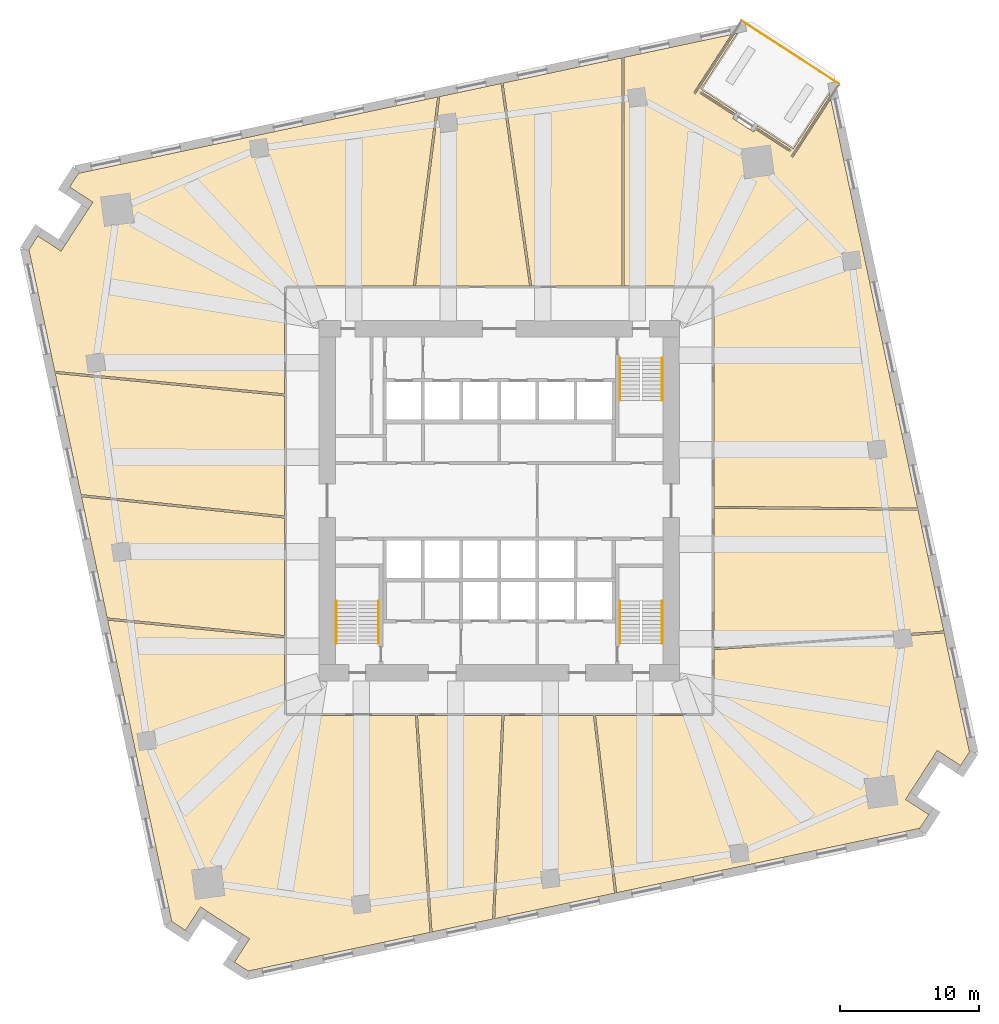
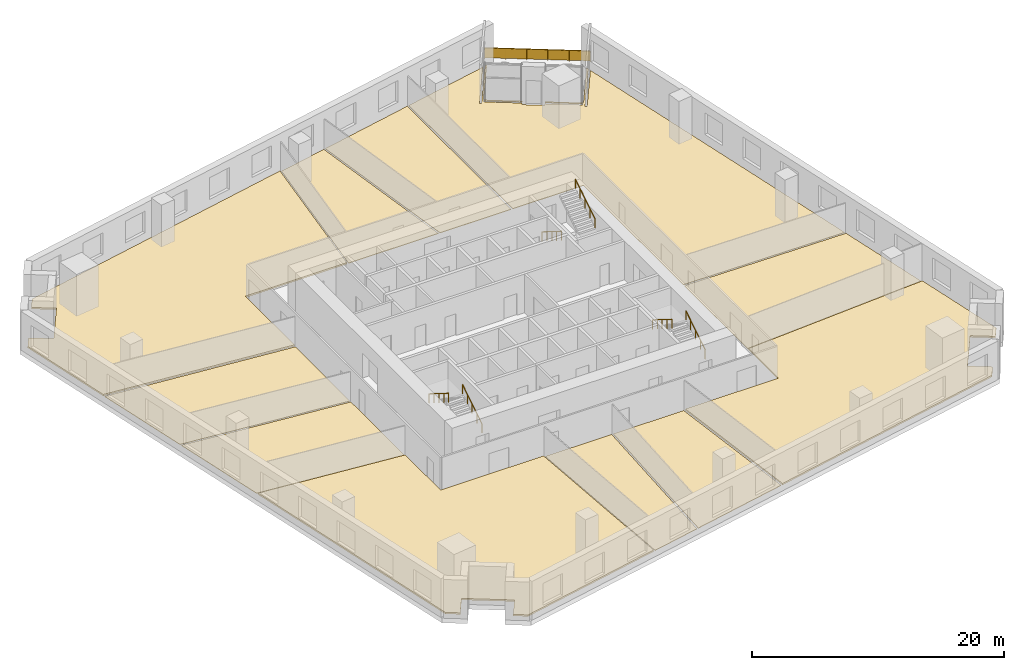
# One storey, part 9 of 10: 11 coverings, 7 railings.
"""IFC4 building model written with IfcOpenShell, lengths in metres."""

from ifc_helpers import new_model, si_unit, direction, frame, origin, origin_2d, place, context, subcontext, project, spatial, polyline, rectangle, circle, outline, extrude, material, layer, layer_set, type_object, element, save


model = new_model("IFC4")

# Units and contexts
model_context = context("Model", 3, precision=1e-05, world=origin(), true_north=direction((0.0, 1.0)))
body_context = subcontext(model_context, "Body", "Model", "MODEL_VIEW")
ifc_project = project(units=[si_unit("LENGTHUNIT", "METRE"), si_unit("AREAUNIT", "SQUARE_METRE"), si_unit("VOLUMEUNIT", "CUBIC_METRE"), si_unit("PLANEANGLEUNIT", "RADIAN"), si_unit("MASSUNIT", "GRAM", prefix="KILO")], contexts=[model_context])

# Site, building, storey
site_placement = place(None, origin())
site = spatial("IfcSite", under=ifc_project, at=site_placement, CompositionType="ELEMENT")
building_placement = place(site_placement, origin())
building = spatial("IfcBuilding", under=site, at=building_placement, Name="Dilmun Exchange Tower", CompositionType="ELEMENT")
storey_placement = place(building_placement, frame((0.0, 0.0, 72.300048828125)))
storey = spatial("IfcBuildingStorey", under=building, at=storey_placement, Name="L16", CompositionType="ELEMENT", Elevation=72.300048828125)

# Coverings
ifc_material_1 = material(Name="Carpet floor finish 50")
ifc_layer_1 = layer(ifc_material_1, 0.050048828125)
ifc_layer_set_1 = layer_set([ifc_layer_1], Name="Carpet floor finish 50")
covering_type_1 = type_object("IfcCoveringType", Name="Carpet floor finish 50", PredefinedType="FLOORING", material=ifc_layer_set_1)
covering_1_placement = place(storey_placement, origin())
element("IfcCovering", 1, at=covering_1_placement, inside=storey, type_object=covering_type_1, Name="Carpet floor finish 50 Clearing office 1", PredefinedType="FLOORING", context=body_context, shape_type="SweptSolid", body=[
    extrude(outline(polyline([(-15.47509765625, -1.09521484375), (-30.14892578125, 0.443603515625), (-32.007080078125, 9.185546875), (-15.47509765625, 7.555419921875), (-15.47509765625, -1.09521484375)])), origin(), (0.0, 0.0, 1.0), 0.050048828125),
])
covering_2_placement = place(storey_placement, origin())
element("IfcCovering", 2, at=covering_2_placement, inside=storey, type_object=covering_type_1, Name="Carpet floor finish 50 Broker office 1", PredefinedType="FLOORING", context=body_context, shape_type="SweptSolid", body=[
    extrude(outline(polyline([(-15.47509765625, -9.7197265625), (-28.259521484375, -8.4453125), (-30.1162109375, 0.289306640625), (-15.47509765625, -1.245849609375), (-15.47509765625, -9.7197265625)])), origin(), (0.0, 0.0, 1.0), 0.050048828125),
])
covering_3_placement = place(storey_placement, origin())
element("IfcCovering", 3, at=covering_3_placement, inside=storey, type_object=covering_type_1, Name="Carpet floor finish 50 Clearing office 2", PredefinedType="FLOORING", context=body_context, shape_type="SweptSolid", body=[
    extrude(outline(polyline([(-5.888671875, -15.47509765625), (0.1953125, -15.47509765625), (-0.4794921875, -30.156494140625), (-4.843994140625, -31.08447265625), (-5.888671875, -15.47509765625)])), origin(), (0.0, 0.0, 1.0), 0.050048828125),
])
covering_4_placement = place(storey_placement, origin())
element("IfcCovering", 4, at=covering_4_placement, inside=storey, type_object=covering_type_1, Name="Carpet floor finish 50 Settlement office", PredefinedType="FLOORING", context=body_context, shape_type="SweptSolid", body=[
    extrude(outline(polyline([(2.189453125, 15.47509765625), (-6.03759765625, 15.47509765625), (-4.28369140625, 29.144287109375), (0.130615234375, 30.08251953125), (2.189453125, 15.47509765625)])), origin(), (0.0, 0.0, 1.0), 0.050048828125),
])
covering_5_placement = place(storey_placement, origin())
element("IfcCovering", 5, at=covering_5_placement, inside=storey, type_object=covering_type_1, Name="Carpet floor finish 50 Broker office 2", PredefinedType="FLOORING", context=body_context, shape_type="SweptSolid", body=[
    extrude(outline(polyline([(6.79052734375, -15.47509765625), (8.31591796875, -28.287109375), (-0.32763671875, -30.12451171875), (0.345703125, -15.47509765625), (6.79052734375, -15.47509765625)])), origin(), (0.0, 0.0, 1.0), 0.050048828125),
])
covering_6_placement = place(storey_placement, origin())
element("IfcCovering", 6, at=covering_6_placement, inside=storey, type_object=covering_type_1, Name="Carpet floor finish 50 Broker office 3", PredefinedType="FLOORING", context=body_context, shape_type="SweptSolid", body=[
    extrude(outline(polyline([(2.3408203125, 15.47509765625), (0.277587890625, 30.11376953125), (8.849365234375, 31.935791015625), (8.859375, 15.47509765625), (2.3408203125, 15.47509765625)])), origin(), (0.0, 0.0, 1.0), 0.050048828125),
])
covering_7_placement = place(storey_placement, origin())
element("IfcCovering", 7, at=covering_7_placement, inside=storey, type_object=covering_type_1, Name="Carpet floor finish 50 Garden lounge", PredefinedType="FLOORING", context=body_context, shape_type="SweptSolid", body=[
    extrude(outline(polyline([(14.548095703125, 29.6806640625), (17.116455078125, 28.012939453125), (17.03857421875, 27.89306640625), (14.533203125, 29.52001953125), (14.533203125, 29.52001953125), (14.532958984375, 29.520263671875), (14.53271484375, 29.520263671875), (14.532470703125, 29.520263671875), (14.5322265625, 29.520263671875), (14.531982421875, 29.520263671875), (14.531982421875, 29.520263671875), (14.53173828125, 29.520263671875), (14.531494140625, 29.520263671875), (14.531494140625, 29.52001953125), (14.53125, 29.52001953125), (14.531005859375, 29.52001953125), (14.531005859375, 29.519775390625), (14.53076171875, 29.519775390625), (14.530517578125, 29.51953125), (14.530517578125, 29.519287109375), (14.443359375, 29.38525390625), (14.443359375, 29.385009765625), (14.443115234375, 29.384765625), (14.443115234375, 29.384765625), (14.443115234375, 29.384521484375), (14.443115234375, 29.38427734375), (14.443115234375, 29.384033203125), (14.443115234375, 29.3837890625), (14.443115234375, 29.3837890625), (14.443115234375, 29.383544921875), (14.443115234375, 29.38330078125), (14.443359375, 29.383056640625), (14.443359375, 29.383056640625), (14.443603515625, 29.3828125), (14.443603515625, 29.3828125), (14.44384765625, 29.382568359375), (14.44384765625, 29.38232421875), (16.94921875, 27.755615234375), (16.830322265625, 27.57275390625), (16.830322265625, 27.572509765625), (16.830078125, 27.572265625), (16.830078125, 27.572265625), (16.830078125, 27.572021484375), (16.830078125, 27.57177734375), (16.830078125, 27.571533203125), (16.830078125, 27.5712890625), (16.830078125, 27.5712890625), (16.830078125, 27.571044921875), (16.830322265625, 27.57080078125), (16.830322265625, 27.570556640625), (16.83056640625, 27.570556640625), (16.83056640625, 27.5703125), (16.830810546875, 27.5703125), (16.830810546875, 27.570068359375), (16.8310546875, 27.56982421875), (18.340576171875, 26.589599609375), (18.3408203125, 26.58935546875), (18.341064453125, 26.58935546875), (18.341064453125, 26.58935546875), (18.34130859375, 26.589111328125), (18.341552734375, 26.589111328125), (18.341796875, 26.589111328125), (18.341796875, 26.589111328125), (18.342041015625, 26.589111328125), (18.34228515625, 26.58935546875), (18.342529296875, 26.58935546875), (18.3427734375, 26.589599609375), (18.3427734375, 26.589599609375), (18.343017578125, 26.589599609375), (18.343017578125, 26.58984375), (18.34326171875, 26.590087890625), (18.343505859375, 26.590087890625), (18.462158203125, 26.77294921875), (20.96728515625, 25.14599609375), (20.96728515625, 25.14599609375), (20.967529296875, 25.14599609375), (20.9677734375, 25.14599609375), (20.968017578125, 25.145751953125), (20.96826171875, 25.145751953125), (20.968505859375, 25.145751953125), (20.968505859375, 25.145751953125), (20.96875, 25.145751953125), (20.968994140625, 25.14599609375), (20.968994140625, 25.14599609375), (20.96923828125, 25.14599609375), (20.969482421875, 25.146240234375), (20.969482421875, 25.146240234375), (20.9697265625, 25.146484375), (20.969970703125, 25.146484375), (20.969970703125, 25.146728515625), (21.05712890625, 25.281005859375), (21.05712890625, 25.281005859375), (21.057373046875, 25.28125), (21.057373046875, 25.281494140625), (21.057373046875, 25.281494140625), (21.0576171875, 25.28173828125), (21.0576171875, 25.281982421875), (21.0576171875, 25.2822265625), (21.057373046875, 25.282470703125), (21.057373046875, 25.28271484375), (21.057373046875, 25.28271484375), (21.05712890625, 25.282958984375), (21.05712890625, 25.283203125), (21.056884765625, 25.283203125), (21.056884765625, 25.283447265625), (21.056640625, 25.28369140625), (21.056640625, 25.28369140625), (18.551513671875, 26.910400390625), (18.62939453125, 27.030517578125), (21.197509765625, 25.36279296875), (23.808837890625, 29.38427734375), (23.85107421875, 29.186279296875), (21.03125, 24.844482421875), (21.03125, 24.844482421875), (21.031005859375, 24.84423828125), (21.031005859375, 24.843994140625), (21.031005859375, 24.84375), (21.031005859375, 24.843505859375), (21.031005859375, 24.843505859375), (21.031005859375, 24.84326171875), (21.031005859375, 24.843017578125), (21.031005859375, 24.843017578125), (21.03125, 24.8427734375), (21.03125, 24.842529296875), (21.031494140625, 24.84228515625), (21.031494140625, 24.84228515625), (21.031494140625, 24.842041015625), (21.03173828125, 24.841796875), (21.031982421875, 24.841796875), (21.166015625, 24.754638671875), (21.166259765625, 24.754638671875), (21.16650390625, 24.75439453125), (21.16650390625, 24.75439453125), (21.166748046875, 24.75439453125), (21.1669921875, 24.75439453125), (21.167236328125, 24.75439453125), (21.16748046875, 24.75439453125), (21.16748046875, 24.75439453125), (21.167724609375, 24.75439453125), (21.16796875, 24.75439453125), (21.168212890625, 24.754638671875), (21.168212890625, 24.754638671875), (21.16845703125, 24.7548828125), (21.168701171875, 24.7548828125), (21.168701171875, 24.755126953125), (21.1689453125, 24.755126953125), (23.899169921875, 28.95947265625), (30.167236328125, -0.529052734375), (15.47509765625, -0.395263671875), (15.47509765625, 15.47509765625), (9.00927734375, 15.47509765625), (8.999267578125, 31.967529296875), (16.735107421875, 33.61181640625), (14.0048828125, 29.40771484375), (14.004638671875, 29.407470703125), (14.004638671875, 29.4072265625), (14.004638671875, 29.406982421875), (14.00439453125, 29.40673828125), (14.00439453125, 29.406494140625), (14.00439453125, 29.406494140625), (14.00439453125, 29.40625), (14.00439453125, 29.406005859375), (14.004638671875, 29.406005859375), (14.004638671875, 29.40576171875), (14.0048828125, 29.405517578125), (14.0048828125, 29.4052734375), (14.0048828125, 29.4052734375), (14.005126953125, 29.405029296875), (14.00537109375, 29.40478515625), (14.00537109375, 29.40478515625), (14.1396484375, 29.317626953125), (14.139892578125, 29.317626953125), (14.139892578125, 29.3173828125), (14.14013671875, 29.3173828125), (14.140380859375, 29.3173828125), (14.140380859375, 29.3173828125), (14.140625, 29.3173828125), (14.140869140625, 29.3173828125), (14.14111328125, 29.3173828125), (14.141357421875, 29.3173828125), (14.1416015625, 29.3173828125), (14.1416015625, 29.317626953125), (14.141845703125, 29.317626953125), (14.14208984375, 29.31787109375), (14.14208984375, 29.31787109375), (14.142333984375, 29.318115234375), (14.142333984375, 29.318115234375), (16.9619140625, 33.66015625), (17.159912109375, 33.7021484375), (14.548095703125, 29.6806640625)])), origin(), (0.0, 0.0, 1.0), 0.050048828125),
])
covering_8_placement = place(storey_placement, origin())
element("IfcCovering", 8, at=covering_8_placement, inside=storey, type_object=covering_type_1, Name="Carpet floor finish 50 Broker office 4", PredefinedType="FLOORING", context=body_context, shape_type="SweptSolid", body=[
    extrude(outline(polyline([(15.47509765625, -10.589599609375), (15.47509765625, -0.545166015625), (30.19921875, -0.67919921875), (32.049072265625, -9.3828125), (15.47509765625, -10.589599609375)])), origin(), (0.0, 0.0, 1.0), 0.050048828125),
])
ifc_material_2 = material(Name="Raised access floor 150")
ifc_layer_2 = layer(ifc_material_2, 0.14990234375)
ifc_layer_set_2 = layer_set([ifc_layer_2], Name="Raised access floor 150")
covering_type_2 = type_object("IfcCoveringType", Name="Raised access floor 150", PredefinedType="FLOORING", material=ifc_layer_set_2)
covering_9_placement = place(storey_placement, origin())
element("IfcCovering", 9, at=covering_9_placement, inside=storey, type_object=covering_type_2, Name="Raised access floor 150 Market operations room 1", PredefinedType="FLOORING", context=body_context, shape_type="SweptSolid", body=[
    extrude(outline(polyline([(-6.18896484375, 15.47509765625), (-15.47509765625, 15.47509765625), (-15.47509765625, 7.7060546875), (-32.039794921875, 9.339599609375), (-33.901611328125, 18.09765625), (-33.256591796875, 19.0908203125), (-31.580810546875, 18.00244140625), (-31.580810546875, 18.00244140625), (-31.58056640625, 18.002197265625), (-31.580322265625, 18.002197265625), (-31.580078125, 18.002197265625), (-31.580078125, 18.002197265625), (-31.579833984375, 18.002197265625), (-31.57958984375, 18.002197265625), (-31.579345703125, 18.002197265625), (-31.5791015625, 18.002197265625), (-31.5791015625, 18.00244140625), (-31.578857421875, 18.00244140625), (-31.57861328125, 18.00244140625), (-31.57861328125, 18.002685546875), (-31.578369140625, 18.002685546875), (-31.578125, 18.0029296875), (-31.578125, 18.003173828125), (-31.25146484375, 18.506103515625), (-31.251220703125, 18.50634765625), (-29.617431640625, 21.022216796875), (-29.29052734375, 21.525390625), (-29.29052734375, 21.525634765625), (-29.29052734375, 21.52587890625), (-29.290283203125, 21.52587890625), (-29.290283203125, 21.526123046875), (-29.290283203125, 21.5263671875), (-29.290283203125, 21.526611328125), (-29.290283203125, 21.52685546875), (-29.290283203125, 21.527099609375), (-29.290283203125, 21.527099609375), (-29.29052734375, 21.52734375), (-29.29052734375, 21.527587890625), (-29.290771484375, 21.527587890625), (-29.290771484375, 21.52783203125), (-29.291015625, 21.528076171875), (-29.291015625, 21.5283203125), (-29.291259765625, 21.5283203125), (-30.966796875, 22.616455078125), (-30.322021484375, 23.609619140625), (-4.439208984375, 29.111083984375), (-6.18896484375, 15.47509765625)])), origin(), (0.0, 0.0, 1.0), 0.14990234375),
])
covering_10_placement = place(storey_placement, origin())
element("IfcCovering", 10, at=covering_10_placement, inside=storey, type_object=covering_type_2, Name="Raised access floor 150 Market operations room 2", PredefinedType="FLOORING", context=body_context, shape_type="SweptSolid", body=[
    extrude(outline(polyline([(-15.47509765625, -9.87060546875), (-15.47509765625, -15.47509765625), (-6.0390625, -15.47509765625), (-4.9921875, -31.115966796875), (-18.09765625, -33.901611328125), (-19.0908203125, -33.256591796875), (-18.00244140625, -31.580810546875), (-18.00244140625, -31.580810546875), (-18.002197265625, -31.58056640625), (-18.002197265625, -31.580322265625), (-18.002197265625, -31.580078125), (-18.002197265625, -31.580078125), (-18.002197265625, -31.579833984375), (-18.002197265625, -31.57958984375), (-18.002197265625, -31.579345703125), (-18.002197265625, -31.5791015625), (-18.00244140625, -31.5791015625), (-18.00244140625, -31.578857421875), (-18.00244140625, -31.57861328125), (-18.002685546875, -31.57861328125), (-18.002685546875, -31.578369140625), (-18.0029296875, -31.578125), (-18.003173828125, -31.578125), (-18.506103515625, -31.25146484375), (-18.50634765625, -31.251220703125), (-21.022216796875, -29.617431640625), (-21.525390625, -29.29052734375), (-21.525634765625, -29.29052734375), (-21.52587890625, -29.29052734375), (-21.52587890625, -29.290283203125), (-21.526123046875, -29.290283203125), (-21.5263671875, -29.290283203125), (-21.526611328125, -29.290283203125), (-21.52685546875, -29.290283203125), (-21.527099609375, -29.290283203125), (-21.527099609375, -29.290283203125), (-21.52734375, -29.29052734375), (-21.527587890625, -29.29052734375), (-21.527587890625, -29.290771484375), (-21.52783203125, -29.290771484375), (-21.528076171875, -29.291015625), (-21.5283203125, -29.291015625), (-21.5283203125, -29.291259765625), (-22.616455078125, -30.966796875), (-23.609619140625, -30.322021484375), (-28.226806640625, -8.599365234375), (-15.47509765625, -9.87060546875)])), origin(), (0.0, 0.0, 1.0), 0.14990234375),
])
covering_11_placement = place(storey_placement, origin())
element("IfcCovering", 11, at=covering_11_placement, inside=storey, type_object=covering_type_2, Name="Raised access floor 150 Market operations room 3", PredefinedType="FLOORING", context=body_context, shape_type="SweptSolid", body=[
    extrude(outline(polyline([(6.941650390625, -15.47509765625), (15.47509765625, -15.47509765625), (15.47509765625, -10.739990234375), (32.08056640625, -9.53076171875), (33.901611328125, -18.09765625), (33.256591796875, -19.0908203125), (31.580810546875, -18.00244140625), (31.580810546875, -18.00244140625), (31.58056640625, -18.002197265625), (31.580322265625, -18.002197265625), (31.580078125, -18.002197265625), (31.580078125, -18.002197265625), (31.579833984375, -18.002197265625), (31.57958984375, -18.002197265625), (31.579345703125, -18.002197265625), (31.5791015625, -18.002197265625), (31.5791015625, -18.00244140625), (31.578857421875, -18.00244140625), (31.57861328125, -18.00244140625), (31.57861328125, -18.002685546875), (31.578369140625, -18.002685546875), (31.578125, -18.0029296875), (31.578125, -18.003173828125), (31.25146484375, -18.506103515625), (31.251220703125, -18.50634765625), (29.617431640625, -21.022216796875), (29.29052734375, -21.525390625), (29.29052734375, -21.525634765625), (29.29052734375, -21.52587890625), (29.290283203125, -21.52587890625), (29.290283203125, -21.526123046875), (29.290283203125, -21.5263671875), (29.290283203125, -21.526611328125), (29.290283203125, -21.52685546875), (29.290283203125, -21.527099609375), (29.290283203125, -21.527099609375), (29.29052734375, -21.52734375), (29.29052734375, -21.527587890625), (29.290771484375, -21.527587890625), (29.290771484375, -21.52783203125), (29.291015625, -21.528076171875), (29.291015625, -21.5283203125), (29.291259765625, -21.5283203125), (30.966796875, -22.616455078125), (30.322021484375, -23.609619140625), (8.46337890625, -28.255859375), (6.941650390625, -15.47509765625)])), origin(), (0.0, 0.0, 1.0), 0.14990234375),
])

# Railings
ifc_material_3 = material(Name="Stainless steel", Category="steel")
railing_type_1 = type_object("IfcRailingType", Name="Stair handrail 900", PredefinedType="HANDRAIL", material=ifc_material_3)
railing_1_placement = place(storey_placement, frame((8.699951171875, 10.300048828125, 0.175048828125)))
element("IfcRailing", 12, at=railing_1_placement, inside=storey, type_object=railing_type_1, Name="L16 ST1 stair handrail 1", PredefinedType="HANDRAIL", context=body_context, shape_type="SweptSolid", body=[
    extrude(circle(Radius=0.02392578125, at=origin_2d()), frame((0.0, 0.0, 0.8759765625), z_axis=(0.0, -0.848028513186, 0.529950602248), x_axis=(1.0, 0.0, 0.0)), (0.0, 0.0, 1.0), 3.632080078125),
    extrude(circle(Radius=0.02099609375, at=origin_2d()), origin(), (0.0, 0.0, 1.0), 0.851806640625),
    extrude(circle(Radius=0.02099609375, at=origin_2d()), frame((0.0, -0.77001953125, 0.481201171875)), (0.0, 0.0, 1.0), 0.851806640625),
    extrude(circle(Radius=0.02099609375, at=origin_2d()), frame((0.0, -1.5400390625, 0.96240234375)), (0.0, 0.0, 1.0), 0.851806640625),
    extrude(circle(Radius=0.02099609375, at=origin_2d()), frame((0.0, -2.31005859375, 1.443603515625)), (0.0, 0.0, 1.0), 0.851806640625),
    extrude(circle(Radius=0.02099609375, at=origin_2d()), frame((0.0, -3.080078125, 1.9248046875)), (0.0, 0.0, 1.0), 0.851806640625),
])
railing_2_placement = place(storey_placement, frame((11.75, 7.219970703125, 2.27490234375)))
element("IfcRailing", 13, at=railing_2_placement, inside=storey, type_object=railing_type_1, Name="L16 ST1 stair handrail 2", PredefinedType="HANDRAIL", context=body_context, shape_type="SweptSolid", body=[
    extrude(circle(Radius=0.02392578125, at=origin_2d()), frame((0.0, 0.0, 0.8759765625), z_axis=(0.0, 0.847998304005, 0.529998940003), x_axis=(-1.0, 0.0, 0.0)), (0.0, 0.0, 1.0), 3.632080078125),
    extrude(circle(Radius=0.02099609375, at=origin_2d()), origin(), (0.0, 0.0, 1.0), 0.851806640625),
    extrude(circle(Radius=0.02099609375, at=origin_2d()), frame((0.0, 0.77001953125, 0.481201171875)), (0.0, 0.0, 1.0), 0.851806640625),
    extrude(circle(Radius=0.02099609375, at=origin_2d()), frame((0.0, 1.5400390625, 0.96240234375)), (0.0, 0.0, 1.0), 0.851806640625),
    extrude(circle(Radius=0.02099609375, at=origin_2d()), frame((0.0, 2.31005859375, 1.44384765625)), (0.0, 0.0, 1.0), 0.851806640625),
    extrude(circle(Radius=0.02099609375, at=origin_2d()), frame((0.0, 3.080078125, 1.925048828125)), (0.0, 0.0, 1.0), 0.851806640625),
])
railing_3_placement = place(storey_placement, frame((-8.699951171875, -10.300048828125, 0.175048828125)))
element("IfcRailing", 14, at=railing_3_placement, inside=storey, type_object=railing_type_1, Name="L16 ST2 stair handrail 1", PredefinedType="HANDRAIL", context=body_context, shape_type="SweptSolid", body=[
    extrude(circle(Radius=0.02392578125, at=origin_2d()), frame((0.0, 0.0, 0.8759765625), z_axis=(0.0, 0.848028513186, 0.529950602248), x_axis=(-1.0, 0.0, 0.0)), (0.0, 0.0, 1.0), 3.632080078125),
    extrude(circle(Radius=0.02099609375, at=origin_2d()), origin(), (0.0, 0.0, 1.0), 0.851806640625),
    extrude(circle(Radius=0.02099609375, at=origin_2d()), frame((0.0, 0.77001953125, 0.481201171875)), (0.0, 0.0, 1.0), 0.851806640625),
    extrude(circle(Radius=0.02099609375, at=origin_2d()), frame((0.0, 1.5400390625, 0.96240234375)), (0.0, 0.0, 1.0), 0.851806640625),
    extrude(circle(Radius=0.02099609375, at=origin_2d()), frame((0.0, 2.31005859375, 1.443603515625)), (0.0, 0.0, 1.0), 0.851806640625),
    extrude(circle(Radius=0.02099609375, at=origin_2d()), frame((0.0, 3.080078125, 1.9248046875)), (0.0, 0.0, 1.0), 0.851806640625),
])
railing_4_placement = place(storey_placement, frame((-11.75, -7.219970703125, 2.27490234375)))
element("IfcRailing", 15, at=railing_4_placement, inside=storey, type_object=railing_type_1, Name="L16 ST2 stair handrail 2", PredefinedType="HANDRAIL", context=body_context, shape_type="SweptSolid", body=[
    extrude(circle(Radius=0.02392578125, at=origin_2d()), frame((0.0, 0.0, 0.8759765625), z_axis=(0.0, -0.847998304005, 0.529998940003), x_axis=(1.0, 0.0, 0.0)), (0.0, 0.0, 1.0), 3.632080078125),
    extrude(circle(Radius=0.02099609375, at=origin_2d()), origin(), (0.0, 0.0, 1.0), 0.851806640625),
    extrude(circle(Radius=0.02099609375, at=origin_2d()), frame((0.0, -0.77001953125, 0.481201171875)), (0.0, 0.0, 1.0), 0.851806640625),
    extrude(circle(Radius=0.02099609375, at=origin_2d()), frame((0.0, -1.5400390625, 0.96240234375)), (0.0, 0.0, 1.0), 0.851806640625),
    extrude(circle(Radius=0.02099609375, at=origin_2d()), frame((0.0, -2.31005859375, 1.44384765625)), (0.0, 0.0, 1.0), 0.851806640625),
    extrude(circle(Radius=0.02099609375, at=origin_2d()), frame((0.0, -3.080078125, 1.925048828125)), (0.0, 0.0, 1.0), 0.851806640625),
])
railing_5_placement = place(storey_placement, frame((11.75, -10.300048828125, 0.175048828125)))
element("IfcRailing", 16, at=railing_5_placement, inside=storey, type_object=railing_type_1, Name="L16 ST3 stair handrail 1", PredefinedType="HANDRAIL", context=body_context, shape_type="SweptSolid", body=[
    extrude(circle(Radius=0.02392578125, at=origin_2d()), frame((0.0, 0.0, 0.8759765625), z_axis=(0.0, 0.848028513186, 0.529950602248), x_axis=(-1.0, 0.0, 0.0)), (0.0, 0.0, 1.0), 3.632080078125),
    extrude(circle(Radius=0.02099609375, at=origin_2d()), origin(), (0.0, 0.0, 1.0), 0.851806640625),
    extrude(circle(Radius=0.02099609375, at=origin_2d()), frame((0.0, 0.77001953125, 0.481201171875)), (0.0, 0.0, 1.0), 0.851806640625),
    extrude(circle(Radius=0.02099609375, at=origin_2d()), frame((0.0, 1.5400390625, 0.96240234375)), (0.0, 0.0, 1.0), 0.851806640625),
    extrude(circle(Radius=0.02099609375, at=origin_2d()), frame((0.0, 2.31005859375, 1.443603515625)), (0.0, 0.0, 1.0), 0.851806640625),
    extrude(circle(Radius=0.02099609375, at=origin_2d()), frame((0.0, 3.080078125, 1.9248046875)), (0.0, 0.0, 1.0), 0.851806640625),
])
railing_6_placement = place(storey_placement, frame((8.699951171875, -7.219970703125, 2.27490234375)))
element("IfcRailing", 17, at=railing_6_placement, inside=storey, type_object=railing_type_1, Name="L16 ST3 stair handrail 2", PredefinedType="HANDRAIL", context=body_context, shape_type="SweptSolid", body=[
    extrude(circle(Radius=0.02392578125, at=origin_2d()), frame((0.0, 0.0, 0.8759765625), z_axis=(0.0, -0.847998304005, 0.529998940003), x_axis=(1.0, 0.0, 0.0)), (0.0, 0.0, 1.0), 3.632080078125),
    extrude(circle(Radius=0.02099609375, at=origin_2d()), origin(), (0.0, 0.0, 1.0), 0.851806640625),
    extrude(circle(Radius=0.02099609375, at=origin_2d()), frame((0.0, -0.77001953125, 0.481201171875)), (0.0, 0.0, 1.0), 0.851806640625),
    extrude(circle(Radius=0.02099609375, at=origin_2d()), frame((0.0, -1.5400390625, 0.96240234375)), (0.0, 0.0, 1.0), 0.851806640625),
    extrude(circle(Radius=0.02099609375, at=origin_2d()), frame((0.0, -2.31005859375, 1.44384765625)), (0.0, 0.0, 1.0), 0.851806640625),
    extrude(circle(Radius=0.02099609375, at=origin_2d()), frame((0.0, -3.080078125, 1.925048828125)), (0.0, 0.0, 1.0), 0.851806640625),
])
railing_type_2 = type_object("IfcRailingType", Name="Terrace guard 1100 stainless steel", PredefinedType="GUARDRAIL", material=ifc_material_3)
railing_7_placement = place(storey_placement, frame((17.4755859375, 34.601806640625, 0.0)))
element("IfcRailing", 18, at=railing_7_placement, inside=storey, type_object=railing_type_2, Name="Terrace guard 1", PredefinedType="GUARDRAIL", context=body_context, shape_type="SweptSolid", body=[
    extrude(circle(Radius=0.02392578125, at=origin_2d()), frame((0.0, 0.0, 1.076171875), z_axis=(0.838665243045, -0.544647234556, 0.0), x_axis=(0.544647234556, 0.838665243045, 0.0)), (0.0, 0.0, 1.0), 8.37841796875),
    extrude(rectangle(XDim=0.011962890625, YDim=0.951904296875, at=origin_2d()), frame((0.0, 0.0, 0.576171875), z_axis=(0.838665243045, -0.544647234556, 0.0), x_axis=(0.544647234556, 0.838665243045, 0.0)), (0.0, 0.0, 1.0), 8.37841796875),
    extrude(circle(Radius=0.02099609375, at=origin_2d()), origin(), (0.0, 0.0, 1.0), 1.052001953125),
    extrude(circle(Radius=0.02099609375, at=origin_2d()), frame((1.4052734375, -0.91259765625, 0.0)), (0.0, 0.0, 1.0), 1.052001953125),
    extrude(circle(Radius=0.02099609375, at=origin_2d()), frame((2.810546875, -1.8251953125, 0.0)), (0.0, 0.0, 1.0), 1.052001953125),
    extrude(circle(Radius=0.02099609375, at=origin_2d()), frame((4.216064453125, -2.738037109375, 0.0)), (0.0, 0.0, 1.0), 1.052001953125),
    extrude(circle(Radius=0.02099609375, at=origin_2d()), frame((5.621337890625, -3.650634765625, 0.0)), (0.0, 0.0, 1.0), 1.052001953125),
    extrude(circle(Radius=0.02099609375, at=origin_2d()), frame((7.026611328125, -4.563232421875, 0.0)), (0.0, 0.0, 1.0), 1.052001953125),
])

save(model, "model.ifc")
